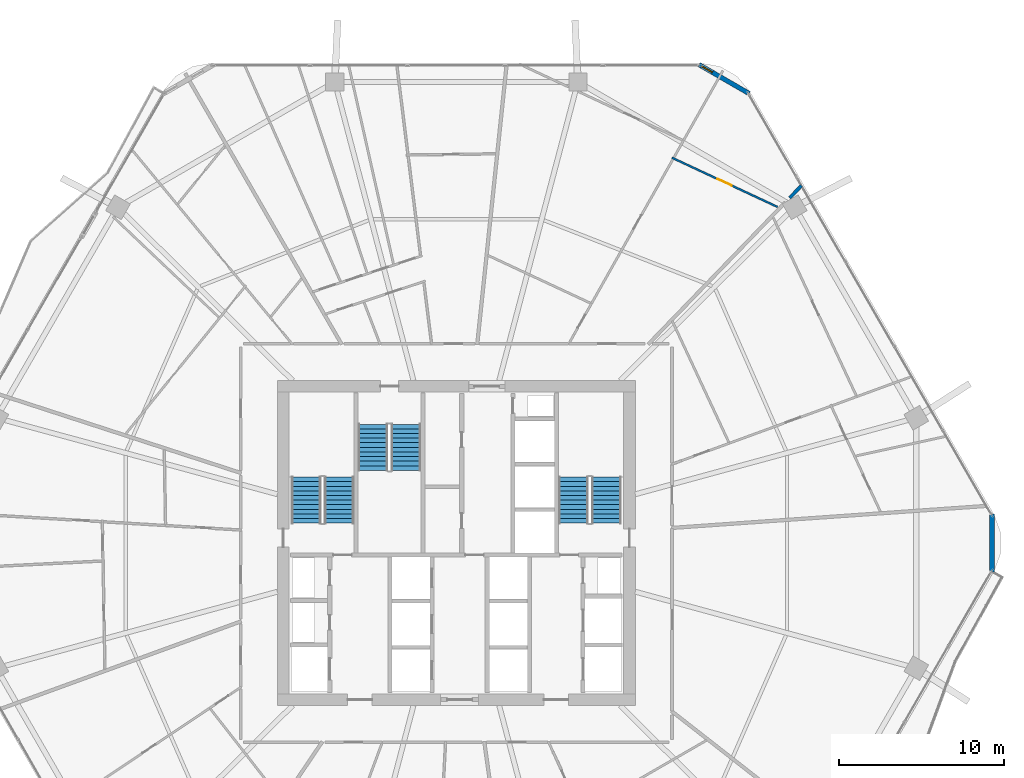
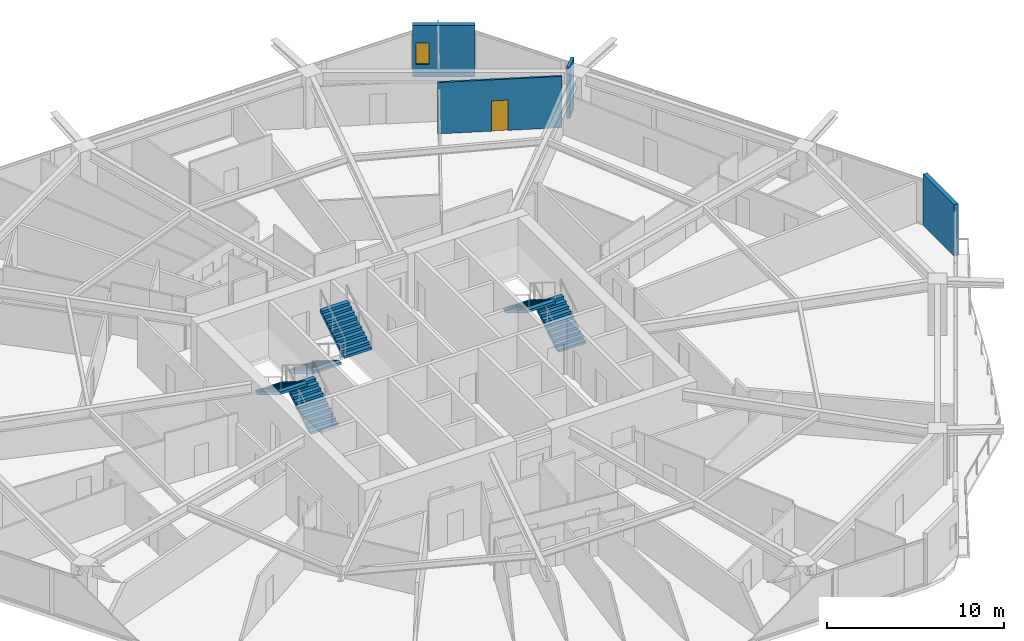
# One storey, part 29 of 33: 6 stair flights, 4 walls, 1 door, 1 window, 2 openings, 3 elements without a shape of their own.
"""IFC4 building model written with IfcOpenShell, lengths in metres."""

from ifc_helpers import new_model, si_unit, direction, frame, frame_2d, origin, place, context, subcontext, project, spatial, polyline, rectangle, outline, extrude, material, layer, layer_set, type_object, element, fill, aggregate, save


model = new_model("IFC4")

# Units and contexts
model_context = context("Model", 3, precision=1e-05, world=origin(), true_north=direction((0.0, 1.0)))
body_context = subcontext(model_context, "Body", "Model", "MODEL_VIEW")
ifc_project = project(units=[si_unit("LENGTHUNIT", "METRE"), si_unit("AREAUNIT", "SQUARE_METRE"), si_unit("VOLUMEUNIT", "CUBIC_METRE"), si_unit("PLANEANGLEUNIT", "RADIAN"), si_unit("MASSUNIT", "GRAM", prefix="KILO")], contexts=[model_context])

# Site, building, storey
site_placement = place(None, origin())
site = spatial("IfcSite", under=ifc_project, at=site_placement, CompositionType="ELEMENT")
building_placement = place(site_placement, origin())
building = spatial("IfcBuilding", under=site, at=building_placement, Name="Zuhravey Tower", CompositionType="ELEMENT")
storey_placement = place(building_placement, frame((0.0, 0.0, 96.199951171875)))
storey = spatial("IfcBuildingStorey", under=building, at=storey_placement, Name="L23", CompositionType="ELEMENT", Elevation=96.199951171875)

# Wall, opening, window
ifc_material_1 = material(Name="Precast concrete C40/50", Category="concrete")
ifc_layer_1 = layer(ifc_material_1, 0.280029296875)
ifc_layer_set_1 = layer_set([ifc_layer_1], Name="Precast concrete C40/50")
wall_type_1 = type_object("IfcWallType", Name="Crown Architectural Wall 280", PredefinedType="SOLIDWALL", material=ifc_layer_set_1)
wall_1_placement = place(storey_placement, frame((50.71728515625, 61.006103515625, 0.0), z_axis=(0.0, 0.0, 1.0), x_axis=(0.866007452331, -0.500031091541, 0.0)))
wall_1 = element("IfcWall", 1, at=wall_1_placement, inside=storey, type_object=wall_type_1, Name="L23 Rounded Corner Closure Wall EW28-10", PredefinedType="SOLIDWALL", context=body_context, shape_type="SweptSolid", body=[
    extrude(rectangle(XDim=3.514892578125, YDim=0.280029296875, at=frame_2d((1.75732421875, 0.0))), origin(), (0.0, 0.0, 1.0), 3.550048828125),
])
opening_1_placement = place(wall_1_placement, frame((0.18212890625, 0.0, 0.85009765625)))
opening_1 = element("IfcOpeningElement", 2, at=opening_1_placement, cuts=wall_1, Name="Opening WN5", PredefinedType="OPENING", context=body_context, shape_type="SweptSolid", body=[
    extrude(rectangle(XDim=0.75, YDim=1.5, at=frame_2d((0.375, 0.75))), frame((0.0, 0.152099609375, 0.0), z_axis=(0.0, -1.0, 0.0), x_axis=(1.0, 0.0, 0.0)), (0.0, 0.0, 1.0), 0.303955078125),
])
ifc_material_2 = material(Name="Thermally broken aluminium and triple low-E glass", Category="aluminium")
window_type = type_object("IfcWindowType", Name="Residential Corner Casement Window 750x1500", PartitioningType="SINGLE_PANEL", PredefinedType="WINDOW", material=ifc_material_2)
window_placement = place(opening_1_placement, origin())
window = element("IfcWindow", 3, at=window_placement, inside=storey, type_object=window_type, Name="L23 Corner Casement Window WN5-10.1", OverallHeight=1.5, OverallWidth=0.75, PartitioningType="SINGLE_PANEL", PredefinedType="WINDOW", context=body_context, shape_type="SweptSolid", body=[
    extrude(rectangle(XDim=0.75, YDim=1.5, at=frame_2d((0.375, 0.75))), frame((0.0, 0.030029296875, 0.0), z_axis=(0.0, -1.0, 0.0), x_axis=(1.0, 0.0, 0.0)), (0.0, 0.0, 1.0), 0.06005859375),
])
fill(opening_1, window)

# Walls
wall_2_placement = place(storey_placement, frame((68.478515625, 33.757568359375, 0.0), z_axis=(0.0, 0.0, 1.0), x_axis=(0.0, -1.0, 0.0)))
element("IfcWall", 4, at=wall_2_placement, inside=storey, type_object=wall_type_1, Name="L23 Rounded Corner Closure Wall EW28-12", PredefinedType="SOLIDWALL", context=body_context, shape_type="SweptSolid", body=[
    extrude(rectangle(XDim=3.51513671875, YDim=0.280029296875, at=frame_2d((1.757568359375, 0.0))), origin(), (0.0, 0.0, 1.0), 3.550048828125),
])
ifc_material_3 = material(Name="Gypsum double-stud party assembly")
ifc_layer_2 = layer(ifc_material_3, 0.199951171875)
ifc_layer_set_2 = layer_set([ifc_layer_2], Name="Gypsum double-stud party assembly")
wall_type_2 = type_object("IfcWallType", Name="Inter-Tenancy Party Wall 200", PredefinedType="PARTITIONING", material=ifc_layer_set_2)
wall_3_placement = place(storey_placement, frame((56.208984375, 52.927001953125, 0.0), z_axis=(0.0, 0.0, 1.0), x_axis=(0.694716755503, 0.719283413977, 0.0)))
element("IfcWall", 5, at=wall_3_placement, inside=storey, type_object=wall_type_2, Name="L23 IW20 Partition 076", PredefinedType="PARTITIONING", context=body_context, shape_type="SweptSolid", body=[
    extrude(rectangle(XDim=1.033447265625, YDim=0.199951171875, at=frame_2d((0.5166015625, 0.0))), origin(), (0.0, 0.0, 1.0), 3.550048828125),
])

# Wall, opening, door
ifc_material_4 = material(Name="Gypsum metal-stud partition")
ifc_layer_3 = layer(ifc_material_4, 0.1201171875)
ifc_layer_set_3 = layer_set([ifc_layer_3], Name="Gypsum metal-stud partition")
wall_type_3 = type_object("IfcWallType", Name="Unit Internal Partition 120", PredefinedType="PARTITIONING", material=ifc_layer_set_3)
wall_4_placement = place(storey_placement, frame((55.47509765625, 52.377197265625, 0.0), z_axis=(0.0, 0.0, 1.0), x_axis=(-0.906311093924, 0.422611170026, 0.0)))
wall_4 = element("IfcWall", 6, at=wall_4_placement, inside=storey, type_object=wall_type_3, Name="L23 IW12 Partition 025", PredefinedType="PARTITIONING", context=body_context, shape_type="SweptSolid", body=[
    extrude(rectangle(XDim=7.065673828125, YDim=0.1201171875, at=frame_2d((3.53271484375, 0.0))), origin(), (0.0, 0.0, 1.0), 3.550048828125),
])
opening_2_placement = place(wall_4_placement, frame((3.05810546875, 0.0, 0.0)))
opening_2 = element("IfcOpeningElement", 7, at=opening_2_placement, cuts=wall_4, Name="Opening IND1", PredefinedType="OPENING", context=body_context, shape_type="SweptSolid", body=[
    extrude(rectangle(XDim=0.949951171875, YDim=2.10009765625, at=frame_2d((0.47509765625, 1.050048828125))), frame((0.0, 0.072021484375, 0.0), z_axis=(0.0, -1.0, 0.0), x_axis=(1.0, 0.0, 0.0)), (0.0, 0.0, 1.0), 0.14404296875),
])
ifc_material_5 = material(Name="Painted engineered timber leaf", Category="wood")
door_type = type_object("IfcDoorType", Name="Internal Room & Bedroom Door 950x2100", OperationType="NOTDEFINED", PredefinedType="DOOR", material=ifc_material_5)
door_placement = place(opening_2_placement, frame((0.949951171875, 0.0, 0.0), z_axis=(0.0, 0.0, 1.0), x_axis=(-1.0, 0.0, 0.0)))
door = element("IfcDoor", 8, at=door_placement, inside=storey, type_object=door_type, Name="Apartment L23-02 Family Study Door", OperationType="SINGLE_SWING_RIGHT", OverallHeight=2.10009765625, OverallWidth=0.949951171875, PredefinedType="DOOR", context=body_context, shape_type="SweptSolid", body=[
    extrude(rectangle(XDim=0.949951171875, YDim=2.10009765625, at=frame_2d((0.47509765625, 1.050048828125))), frame((0.0, 0.02490234375, 0.0), z_axis=(0.0, -1.0, 0.0), x_axis=(1.0, 0.0, 0.0)), (0.0, 0.0, 1.0), 0.050048828125),
])
fill(opening_2, door)

# Stair, stair flights
ifc_material_6 = material(Name="Concrete C40/50", Category="concrete")
stair_type = type_object("IfcStairType", Name="Housing Storey Stair Assembly 3800", PredefinedType="HALF_TURN_STAIR", material=ifc_material_6)
stair_1_placement = place(storey_placement, origin())
stair_1 = element("IfcStair", 9, at=stair_1_placement, inside=storey, type_object=stair_type, Name="L23 Core Exit Stair ST1", PredefinedType="HALF_TURN_STAIR")
stair_flight_type = type_object("IfcStairFlightType", Name="Housing Storey Stair Flight 3800", PredefinedType="STRAIGHT", material=ifc_material_6)
stair_flight_1_placement = place(storey_placement, frame((28.89990234375, 33.199951171875, 0.0), z_axis=(0.0, 0.0, 1.0), x_axis=(0.0, 1.0, 0.0)))
stair_flight_1 = element("IfcStairFlight", 10, at=stair_flight_1_placement, type_object=stair_flight_type, Name="ST1 flight 1", NumberOfRisers=11, NumberOfTreads=10, PredefinedType="STRAIGHT", RiserHeight=0.172727273, TreadLength=0.28, context=body_context, shape_type="SweptSolid", body=[
    extrude(outline(polyline([(0.0, 0.0), (0.0, 0.172607421875), (0.280029296875, 0.172607421875), (0.280029296875, 0.345458984375), (0.56005859375, 0.345458984375), (0.56005859375, 0.51806640625), (0.840087890625, 0.51806640625), (0.840087890625, 0.69091796875), (1.1201171875, 0.69091796875), (1.1201171875, 0.863525390625), (1.39990234375, 0.863525390625), (1.39990234375, 1.036376953125), (1.679931640625, 1.036376953125), (1.679931640625, 1.208984375), (1.9599609375, 1.208984375), (1.9599609375, 1.3818359375), (2.239990234375, 1.3818359375), (2.239990234375, 1.554443359375), (2.52001953125, 1.554443359375), (2.52001953125, 1.727294921875), (2.800048828125, 1.727294921875), (2.800048828125, 1.89990234375), (2.800048828125, 1.551025390625), (0.285400390625, 0.0), (0.0, 0.0)])), frame((0.0, 0.89990234375, 0.0), z_axis=(0.0, -1.0, 0.0), x_axis=(1.0, 0.0, 0.0)), (0.0, 0.0, 1.0), 1.800048828125),
])
stair_flight_2_placement = place(storey_placement, frame((26.89990234375, 36.0, 1.900146484375), z_axis=(0.0, 0.0, 1.0), x_axis=(0.0, -1.0, 0.0)))
stair_flight_2 = element("IfcStairFlight", 11, at=stair_flight_2_placement, type_object=stair_flight_type, Name="ST1 flight 2", NumberOfRisers=11, NumberOfTreads=10, PredefinedType="STRAIGHT", RiserHeight=0.172727273, TreadLength=0.28, context=body_context, shape_type="SweptSolid", body=[
    extrude(outline(polyline([(0.0, 0.0), (0.0, 0.172607421875), (0.280029296875, 0.172607421875), (0.280029296875, 0.345458984375), (0.56005859375, 0.345458984375), (0.56005859375, 0.51806640625), (0.840087890625, 0.51806640625), (0.840087890625, 0.69091796875), (1.1201171875, 0.69091796875), (1.1201171875, 0.863525390625), (1.39990234375, 0.863525390625), (1.39990234375, 1.036376953125), (1.679931640625, 1.036376953125), (1.679931640625, 1.208984375), (1.9599609375, 1.208984375), (1.9599609375, 1.3818359375), (2.239990234375, 1.3818359375), (2.239990234375, 1.554443359375), (2.52001953125, 1.554443359375), (2.52001953125, 1.727294921875), (2.800048828125, 1.727294921875), (2.800048828125, 1.89990234375), (2.800048828125, 1.551025390625), (0.285400390625, 0.0), (0.0, 0.0)])), frame((0.0, 0.89990234375, 0.0), z_axis=(0.0, -1.0, 0.0), x_axis=(1.0, 0.0, 0.0)), (0.0, 0.0, 1.0), 1.800048828125),
])
aggregate(stair_1, [stair_flight_1, stair_flight_2])

stair_2_placement = place(storey_placement, origin())
stair_2 = element("IfcStair", 12, at=stair_2_placement, inside=storey, type_object=stair_type, Name="L23 Core Exit Stair ST2", PredefinedType="HALF_TURN_STAIR")
stair_flight_3_placement = place(storey_placement, frame((45.10009765625, 33.199951171875, 0.0), z_axis=(0.0, 0.0, 1.0), x_axis=(0.0, 1.0, 0.0)))
stair_flight_3 = element("IfcStairFlight", 13, at=stair_flight_3_placement, type_object=stair_flight_type, Name="ST2 flight 1", NumberOfRisers=11, NumberOfTreads=10, PredefinedType="STRAIGHT", RiserHeight=0.172727273, TreadLength=0.28, context=body_context, shape_type="SweptSolid", body=[
    extrude(outline(polyline([(0.0, 0.0), (0.0, 0.172607421875), (0.280029296875, 0.172607421875), (0.280029296875, 0.345458984375), (0.56005859375, 0.345458984375), (0.56005859375, 0.51806640625), (0.840087890625, 0.51806640625), (0.840087890625, 0.69091796875), (1.1201171875, 0.69091796875), (1.1201171875, 0.863525390625), (1.39990234375, 0.863525390625), (1.39990234375, 1.036376953125), (1.679931640625, 1.036376953125), (1.679931640625, 1.208984375), (1.9599609375, 1.208984375), (1.9599609375, 1.3818359375), (2.239990234375, 1.3818359375), (2.239990234375, 1.554443359375), (2.52001953125, 1.554443359375), (2.52001953125, 1.727294921875), (2.800048828125, 1.727294921875), (2.800048828125, 1.89990234375), (2.800048828125, 1.551025390625), (0.285400390625, 0.0), (0.0, 0.0)])), frame((0.0, 0.89990234375, 0.0), z_axis=(0.0, -1.0, 0.0), x_axis=(1.0, 0.0, 0.0)), (0.0, 0.0, 1.0), 1.800048828125),
])
stair_flight_4_placement = place(storey_placement, frame((43.10009765625, 36.0, 1.900146484375), z_axis=(0.0, 0.0, 1.0), x_axis=(0.0, -1.0, 0.0)))
stair_flight_4 = element("IfcStairFlight", 14, at=stair_flight_4_placement, type_object=stair_flight_type, Name="ST2 flight 2", NumberOfRisers=11, NumberOfTreads=10, PredefinedType="STRAIGHT", RiserHeight=0.172727273, TreadLength=0.28, context=body_context, shape_type="SweptSolid", body=[
    extrude(outline(polyline([(0.0, 0.0), (0.0, 0.172607421875), (0.280029296875, 0.172607421875), (0.280029296875, 0.345458984375), (0.56005859375, 0.345458984375), (0.56005859375, 0.51806640625), (0.840087890625, 0.51806640625), (0.840087890625, 0.69091796875), (1.1201171875, 0.69091796875), (1.1201171875, 0.863525390625), (1.39990234375, 0.863525390625), (1.39990234375, 1.036376953125), (1.679931640625, 1.036376953125), (1.679931640625, 1.208984375), (1.9599609375, 1.208984375), (1.9599609375, 1.3818359375), (2.239990234375, 1.3818359375), (2.239990234375, 1.554443359375), (2.52001953125, 1.554443359375), (2.52001953125, 1.727294921875), (2.800048828125, 1.727294921875), (2.800048828125, 1.89990234375), (2.800048828125, 1.551025390625), (0.285400390625, 0.0), (0.0, 0.0)])), frame((0.0, 0.89990234375, 0.0), z_axis=(0.0, -1.0, 0.0), x_axis=(1.0, 0.0, 0.0)), (0.0, 0.0, 1.0), 1.800048828125),
])
aggregate(stair_2, [stair_flight_3, stair_flight_4])

stair_3_placement = place(storey_placement, origin())
stair_3 = element("IfcStair", 15, at=stair_3_placement, inside=storey, type_object=stair_type, Name="L23 Core Exit Stair ST3", PredefinedType="HALF_TURN_STAIR")
stair_flight_5_placement = place(storey_placement, frame((30.949951171875, 39.199951171875, 0.0), z_axis=(0.0, 0.0, 1.0), x_axis=(0.0, -1.0, 0.0)))
stair_flight_5 = element("IfcStairFlight", 16, at=stair_flight_5_placement, type_object=stair_flight_type, Name="ST3 flight 1", NumberOfRisers=11, NumberOfTreads=10, PredefinedType="STRAIGHT", RiserHeight=0.172727273, TreadLength=0.28, context=body_context, shape_type="SweptSolid", body=[
    extrude(outline(polyline([(0.0, 0.0), (0.0, 0.172607421875), (0.280029296875, 0.172607421875), (0.280029296875, 0.345458984375), (0.56005859375, 0.345458984375), (0.56005859375, 0.51806640625), (0.840087890625, 0.51806640625), (0.840087890625, 0.69091796875), (1.1201171875, 0.69091796875), (1.1201171875, 0.863525390625), (1.39990234375, 0.863525390625), (1.39990234375, 1.036376953125), (1.679931640625, 1.036376953125), (1.679931640625, 1.208984375), (1.9599609375, 1.208984375), (1.9599609375, 1.3818359375), (2.239990234375, 1.3818359375), (2.239990234375, 1.554443359375), (2.52001953125, 1.554443359375), (2.52001953125, 1.727294921875), (2.800048828125, 1.727294921875), (2.800048828125, 1.89990234375), (2.800048828125, 1.551025390625), (0.285400390625, 0.0), (0.0, 0.0)])), frame((0.0, 0.89990234375, 0.0), z_axis=(0.0, -1.0, 0.0), x_axis=(1.0, 0.0, 0.0)), (0.0, 0.0, 1.0), 1.800048828125),
])
stair_flight_6_placement = place(storey_placement, frame((32.949951171875, 36.39990234375, 1.900146484375), z_axis=(0.0, 0.0, 1.0), x_axis=(0.0, 1.0, 0.0)))
stair_flight_6 = element("IfcStairFlight", 17, at=stair_flight_6_placement, type_object=stair_flight_type, Name="ST3 flight 2", NumberOfRisers=11, NumberOfTreads=10, PredefinedType="STRAIGHT", RiserHeight=0.172727273, TreadLength=0.28, context=body_context, shape_type="SweptSolid", body=[
    extrude(outline(polyline([(0.0, 0.0), (0.0, 0.172607421875), (0.280029296875, 0.172607421875), (0.280029296875, 0.345458984375), (0.56005859375, 0.345458984375), (0.56005859375, 0.51806640625), (0.840087890625, 0.51806640625), (0.840087890625, 0.69091796875), (1.1201171875, 0.69091796875), (1.1201171875, 0.863525390625), (1.39990234375, 0.863525390625), (1.39990234375, 1.036376953125), (1.679931640625, 1.036376953125), (1.679931640625, 1.208984375), (1.9599609375, 1.208984375), (1.9599609375, 1.3818359375), (2.239990234375, 1.3818359375), (2.239990234375, 1.554443359375), (2.52001953125, 1.554443359375), (2.52001953125, 1.727294921875), (2.800048828125, 1.727294921875), (2.800048828125, 1.89990234375), (2.800048828125, 1.551025390625), (0.285400390625, 0.0), (0.0, 0.0)])), frame((0.0, 0.89990234375, 0.0), z_axis=(0.0, -1.0, 0.0), x_axis=(1.0, 0.0, 0.0)), (0.0, 0.0, 1.0), 1.800048828125),
])
aggregate(stair_3, [stair_flight_5, stair_flight_6])

save(model, "model.ifc")
